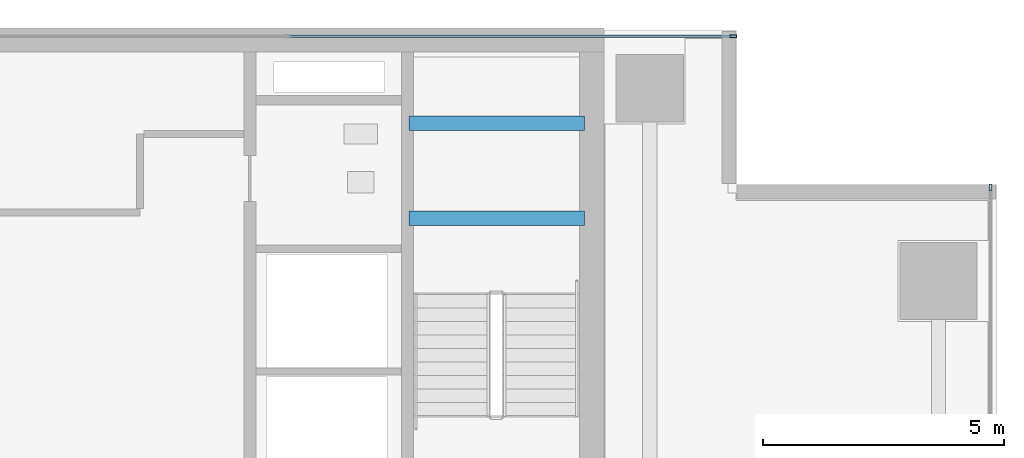
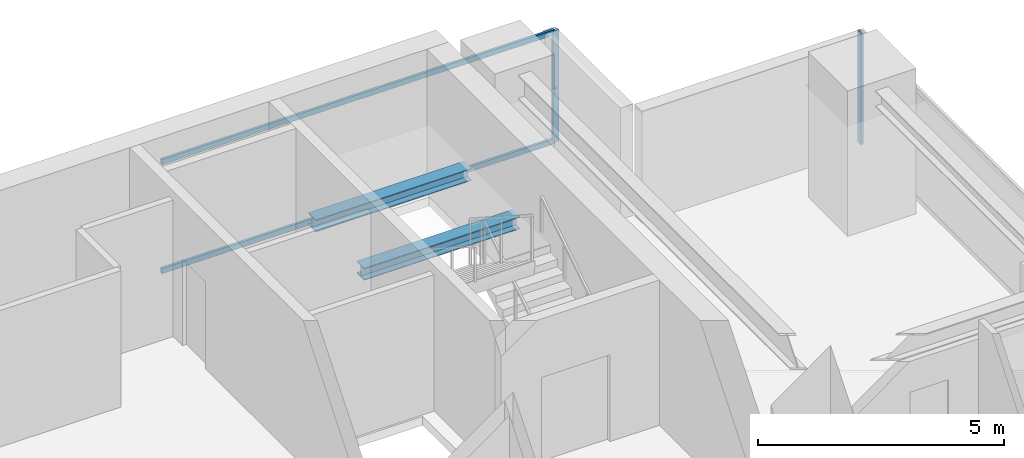
# One storey, part 22 of 29: 4 members, 2 beams, 2 elements without a shape of their own.
"""IFC4 building model written with IfcOpenShell, lengths in metres."""

from ifc_helpers import new_model, si_unit, direction, frame, origin, origin_2d, place, context, subcontext, project, spatial, hollow_rectangle, i_section, extrude, source, transform, mapped, material, layer, layer_set, material_profile, profile_set, type_object, element, aggregate, save


model = new_model("IFC4")

# Units and contexts
model_context = context("Model", 3, precision=1e-05, world=origin(), true_north=direction((0.0, 1.0)))
body_context = subcontext(model_context, "Body", "Model", "MODEL_VIEW")
ifc_project = project(units=[si_unit("LENGTHUNIT", "METRE"), si_unit("AREAUNIT", "SQUARE_METRE"), si_unit("VOLUMEUNIT", "CUBIC_METRE"), si_unit("PLANEANGLEUNIT", "RADIAN"), si_unit("MASSUNIT", "GRAM", prefix="KILO")], contexts=[model_context])

# Site, building, storey
site_placement = place(None, origin())
site = spatial("IfcSite", under=ifc_project, at=site_placement, CompositionType="ELEMENT")
building_placement = place(site_placement, origin())
building = spatial("IfcBuilding", under=site, at=building_placement, Name="Sumidabori Civic Tower", CompositionType="ELEMENT")
storey_placement = place(building_placement, frame((0.0, 0.0, 203.60009765625)))
storey = spatial("IfcBuildingStorey", under=building, at=storey_placement, Name="L52", CompositionType="ELEMENT", Elevation=203.60009765625)

# Beams
ifc_material_1 = material(Name="Steel SN490", Category="steel")
ifc_material_profile_1 = material_profile(ifc_material_1, i_section(OverallWidth=0.300048828125, OverallDepth=0.300048828125, WebThickness=0.010986328125, FlangeThickness=0.01904296875, at=origin_2d()), Name="HE 300 B")
ifc_profile_set_1 = profile_set([ifc_material_profile_1], Name="Steel SN490")
beam_type = type_object("IfcBeamType", Name="BM-LDG-300", PredefinedType="BEAM", material=ifc_profile_set_1)
shared_shape_1 = source(origin(), body_context, "Body", "SweptSolid", [
    extrude(i_section(OverallWidth=0.300048828125, OverallDepth=0.300048828125, WebThickness=0.010986328125, FlangeThickness=0.01904296875, at=origin_2d()), origin(), (0.0, 0.0, 1.0), 3.64990234375),
])
for number, where, z_axis, x_axis, name in (
    (1, (11.800048828125, 20.09765625, 1.449951171875), (1.0, 0.0, 0.0), (0.0, 1.0, 0.0), "Stair ST-2 Landing Support Beam L52-1A"),
    (2, (11.800048828125, 22.069580078125, 1.449951171875), (1.0, 0.0, 0.0), (0.0, 1.0, 0.0), "Stair ST-2 Landing Trimmer Beam L52-1B"),
):
    element("IfcBeam", number, at=place(storey_placement, frame(where, z_axis=z_axis, x_axis=x_axis)), inside=storey, type_object=beam_type, Name=name, PredefinedType="BEAM", context=body_context, shape_type="MappedRepresentation", body=[
        mapped(shared_shape_1, transform((0.0, 0.0, 0.0), x_axis=(1.0, 0.0, 0.0), y_axis=(0.0, 1.0, 0.0), z_axis=(0.0, 0.0, 1.0), scale=1.0)),
    ])

# Curtain wall, member
ifc_material_2 = material(Name="Anodised Bronze Aluminium AW-6063-T6", Category="aluminium")
ifc_layer = layer(ifc_material_2, 0.179931640625, Name="Anodised Bronze Aluminium AW-6063-T6")
ifc_layer_set = layer_set([ifc_layer], Name="Anodised Bronze Aluminium AW-6063-T6")
curtain_wall_type = type_object("IfcCurtainWallType", Name="CW-SYS-5", PredefinedType="NOTDEFINED", material=ifc_layer_set)
curtain_wall_1_placement = place(storey_placement, origin())
curtain_wall_1 = element("IfcCurtainWall", 3, at=curtain_wall_1_placement, inside=storey, type_object=curtain_wall_type, Name="Curtain Wall CW:L52:R10", PredefinedType="NOTDEFINED")
ifc_material_profile_2 = material_profile(ifc_material_2, hollow_rectangle(XDim=0.06005859375, YDim=0.139892578125, WallThickness=0.0048828125, at=origin_2d()), Name="ALU MULLION 140x60")
ifc_profile_set_2 = profile_set([ifc_material_profile_2], Name="Anodised Bronze Aluminium AW-6063-T6")
member_type_1 = type_object("IfcMemberType", Name="CW-MUL-140", PredefinedType="MULLION", material=ifc_profile_set_2)
shared_shape_2 = source(origin(), body_context, "Body", "SweptSolid", [
    extrude(hollow_rectangle(XDim=0.06005859375, YDim=0.139892578125, WallThickness=0.0048828125, at=origin_2d()), origin(), (0.0, 0.0, 1.0), 2.760009765625),
])
member_1_placement = place(storey_placement, frame((23.8798828125, 20.739990234375, 0.0), z_axis=(0.0, 0.0, 1.0), x_axis=(-1.0, 0.0, 0.0)))
member_1 = element("IfcMember", 4, at=member_1_placement, type_object=member_type_1, Name="CW-5 mullion 5", PredefinedType="MULLION", context=body_context, shape_type="MappedRepresentation", body=[
    mapped(shared_shape_2, transform((0.0, 0.0, 0.0), x_axis=(1.0, 0.0, 0.0), y_axis=(0.0, 1.0, 0.0), z_axis=(0.0, 0.0, 1.0), scale=1.0)),
])
aggregate(curtain_wall_1, [member_1])

# Curtain wall, members
curtain_wall_2_placement = place(storey_placement, origin())
curtain_wall_2 = element("IfcCurtainWall", 5, at=curtain_wall_2_placement, inside=storey, type_object=curtain_wall_type, Name="Curtain Wall CW:L52:R13", PredefinedType="NOTDEFINED")
member_2_placement = place(storey_placement, frame((18.5400390625, 23.8798828125, 0.0), z_axis=(0.0, 0.0, 1.0), x_axis=(0.0, -1.0, 0.0)))
member_2 = element("IfcMember", 6, at=member_2_placement, type_object=member_type_1, Name="CW-5 mullion 1", PredefinedType="MULLION", context=body_context, shape_type="MappedRepresentation", body=[
    mapped(shared_shape_2, transform((0.0, 0.0, 0.0), x_axis=(1.0, 0.0, 0.0), y_axis=(0.0, 1.0, 0.0), z_axis=(0.0, 0.0, 1.0), scale=1.0)),
])
ifc_material_profile_3 = material_profile(ifc_material_2, hollow_rectangle(XDim=0.06005859375, YDim=0.1298828125, WallThickness=0.0048828125, at=origin_2d()), Name="ALU TRANSOM 130x60")
ifc_profile_set_3 = profile_set([ifc_material_profile_3], Name="Anodised Bronze Aluminium AW-6063-T6")
member_type_2 = type_object("IfcMemberType", Name="CW-TRN-130", PredefinedType="USERDEFINED", material=ifc_profile_set_3)
shared_shape_3 = source(origin(), body_context, "Body", "SweptSolid", [
    extrude(hollow_rectangle(XDim=0.06005859375, YDim=0.1298828125, WallThickness=0.0048828125, at=origin_2d()), origin(), (0.0, 0.0, 1.0), 9.195068359375),
])
member_3_placement = place(storey_placement, frame((18.510009765625, 23.8798828125, 0.02978515625), z_axis=(-1.0, 0.0, 0.0), x_axis=(0.0, -1.0, 0.0)))
member_3 = element("IfcMember", 7, at=member_3_placement, type_object=member_type_2, Name="CW-5 transom 1.1", ObjectType="TRANSOM", PredefinedType="USERDEFINED", context=body_context, shape_type="MappedRepresentation", body=[
    mapped(shared_shape_3, transform((0.0, 0.0, 0.0), x_axis=(1.0, 0.0, 0.0), y_axis=(0.0, 1.0, 0.0), z_axis=(0.0, 0.0, 1.0), scale=1.0)),
])
member_4_placement = place(storey_placement, frame((18.510009765625, 23.8798828125, 2.72998046875), z_axis=(-1.0, 0.0, 0.0), x_axis=(0.0, -1.0, 0.0)))
member_4 = element("IfcMember", 8, at=member_4_placement, type_object=member_type_2, Name="CW-5 transom 1.2", ObjectType="TRANSOM", PredefinedType="USERDEFINED", context=body_context, shape_type="MappedRepresentation", body=[
    mapped(shared_shape_3, transform((0.0, 0.0, 0.0), x_axis=(1.0, 0.0, 0.0), y_axis=(0.0, 1.0, 0.0), z_axis=(0.0, 0.0, 1.0), scale=1.0)),
])
aggregate(curtain_wall_2, [member_2, member_3, member_4])

save(model, "model.ifc")
